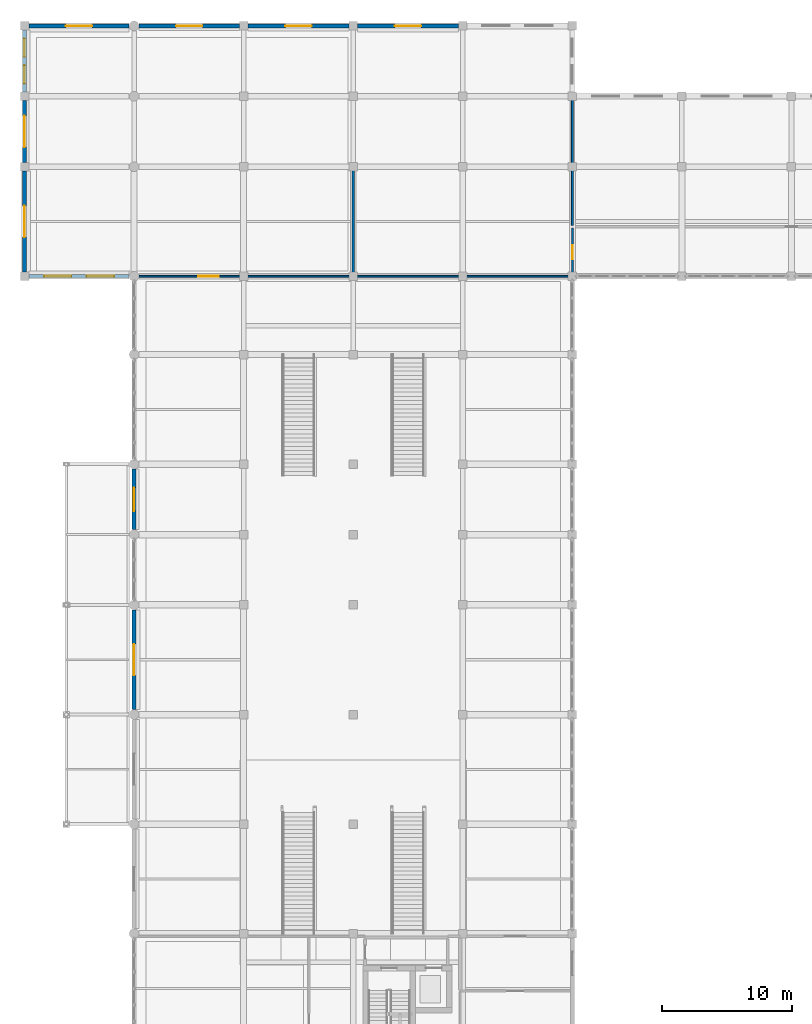
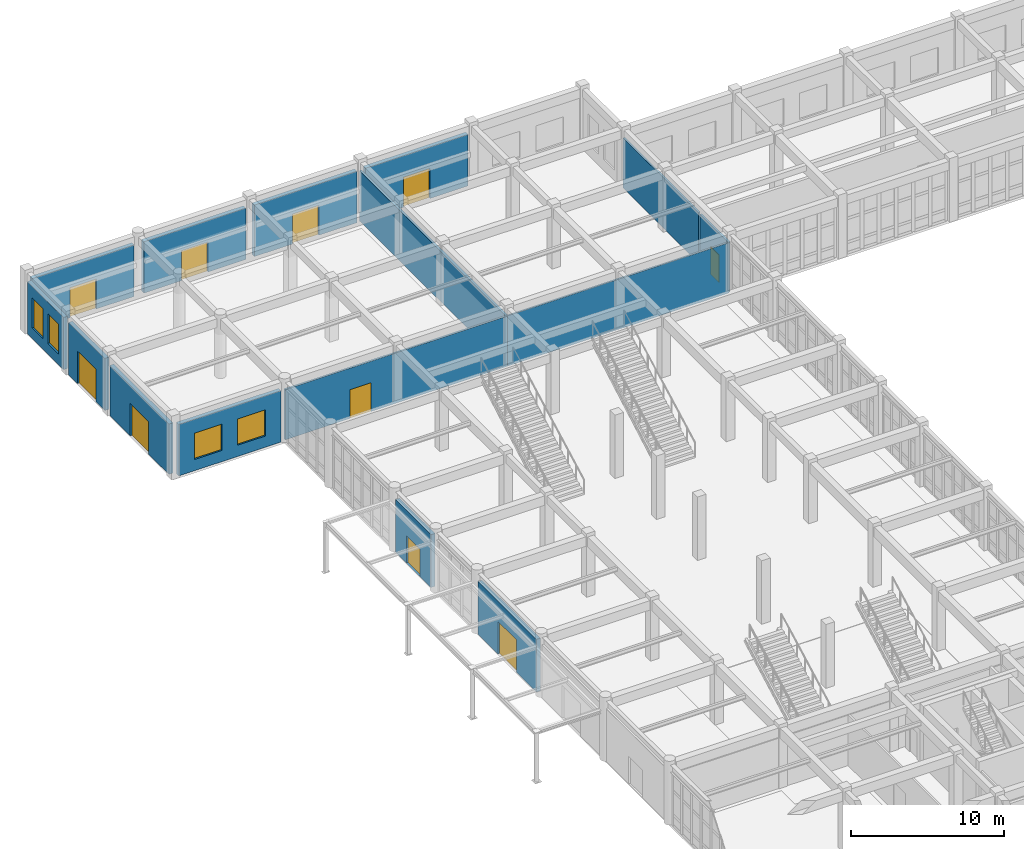
# One storey, part 61 of 80: 15 walls, 10 doors, 4 windows, 14 openings.
"""IFC4 building model written with IfcOpenShell, lengths in metres."""

from ifc_helpers import new_model, si_unit, direction, frame, frame_2d, origin, place, context, subcontext, project, spatial, rectangle, extrude, material, layer, layer_set, type_object, element, fill, save


model = new_model("IFC4")

# Units and contexts
model_context = context("Model", 3, precision=1e-05, world=origin(), true_north=direction((0.0, 1.0)))
body_context = subcontext(model_context, "Body", "Model", "MODEL_VIEW")
ifc_project = project(units=[si_unit("LENGTHUNIT", "METRE"), si_unit("AREAUNIT", "SQUARE_METRE"), si_unit("VOLUMEUNIT", "CUBIC_METRE"), si_unit("PLANEANGLEUNIT", "RADIAN"), si_unit("MASSUNIT", "GRAM", prefix="KILO")], contexts=[model_context])

# Site, building, storey
site_placement = place(None, origin())
site = spatial("IfcSite", under=ifc_project, at=site_placement, CompositionType="ELEMENT")
building_placement = place(site_placement, origin())
building = spatial("IfcBuilding", under=site, at=building_placement, Name="Krzemoval Escarpment Law Courts", CompositionType="ELEMENT")
storey_placement = place(building_placement, origin())
storey = spatial("IfcBuildingStorey", under=building, at=storey_placement, Name="L00", CompositionType="ELEMENT", Elevation=0.0)

# Wall, opening, door
ifc_material_1 = material(Name="Precast concrete C40/50", Category="concrete")
ifc_layer_1 = layer(ifc_material_1, 0.300048828125)
ifc_layer_set_1 = layer_set([ifc_layer_1], Name="Precast concrete C40/50")
wall_type_1 = type_object("IfcWallType", Name="WL-EXT-300", PredefinedType="SOLIDWALL", material=ifc_layer_set_1)
wall_1_placement = place(storey_placement, frame((8.39990234375, 66.375, 0.0), z_axis=(0.0, 0.0, 1.0), x_axis=(0.0, 1.0, 0.0)))
wall_1 = element("IfcWall", 1, at=wall_1_placement, inside=storey, type_object=wall_type_1, Name="Exterior Wall EW-L00-0067", PredefinedType="SOLIDWALL", context=body_context, shape_type="SweptSolid", body=[
    extrude(rectangle(XDim=7.64990234375, YDim=0.300048828125, at=frame_2d((3.824951171875, 0.0))), origin(), (0.0, 0.0, 1.0), 4.219970703125),
])
opening_1_placement = place(wall_1_placement, frame((2.625, 0.0, 0.0)))
opening_1 = element("IfcOpeningElement", 2, at=opening_1_placement, cuts=wall_1, Name="Opening ED-L00-02", PredefinedType="OPENING", context=body_context, shape_type="SweptSolid", body=[
    extrude(rectangle(XDim=2.39990234375, YDim=2.60009765625, at=frame_2d((1.199951171875, 1.300048828125))), frame((0.0, 0.16502, 0.0), z_axis=(0.0, -1.0, 0.0), x_axis=(1.0, 0.0, 0.0)), (0.0, 0.0, 1.0), 0.33005),
])
ifc_material_2 = material(Name="Thermally Broken Aluminium and Laminated Safety Glass", Category="aluminium")
door_type_1 = type_object("IfcDoorType", Name="DR-ENT-2400x2600", OperationType="SINGLE_SWING_LEFT", PredefinedType="DOOR", material=ifc_material_2)
door_1_placement = place(opening_1_placement, origin())
door_1 = element("IfcDoor", 3, at=door_1_placement, inside=storey, type_object=door_type_1, Name="Ground Entrance Door ED-L00-02", OperationType="DOUBLE_DOOR_SINGLE_SWING", OverallHeight=2.60009765625, OverallWidth=2.39990234375, PredefinedType="DOOR", context=body_context, shape_type="SweptSolid", body=[
    extrude(rectangle(XDim=2.39990234375, YDim=2.60009765625, at=frame_2d((1.199951171875, 1.300048828125))), frame((0.0, 0.02490234375, 0.0), z_axis=(0.0, -1.0, 0.0), x_axis=(1.0, 0.0, 0.0)), (0.0, 0.0, 1.0), 0.050048828125),
])
fill(opening_1, door_1)

wall_2_placement = place(storey_placement, frame((8.39990234375, 80.175048828125, 0.0), z_axis=(0.0, 0.0, 1.0), x_axis=(0.0, 1.0, 0.0)))
wall_2 = element("IfcWall", 4, at=wall_2_placement, inside=storey, type_object=wall_type_1, Name="Exterior Wall EW-L00-0068", PredefinedType="SOLIDWALL", context=body_context, shape_type="SweptSolid", body=[
    extrude(rectangle(XDim=4.64990234375, YDim=0.300048828125, at=frame_2d((2.324951171875, 0.0))), origin(), (0.0, 0.0, 1.0), 4.219970703125),
])
opening_2_placement = place(wall_2_placement, frame((1.425048828125, 0.0, 0.0)))
opening_2 = element("IfcOpeningElement", 5, at=opening_2_placement, cuts=wall_2, Name="Opening E08B", PredefinedType="OPENING", context=body_context, shape_type="SweptSolid", body=[
    extrude(rectangle(XDim=1.800048828125, YDim=2.199951171875, at=frame_2d((0.89990234375, 1.10009765625))), frame((0.0, 0.16502, 0.0), z_axis=(0.0, -1.0, 0.0), x_axis=(1.0, 0.0, 0.0)), (0.0, 0.0, 1.0), 0.33005),
])
ifc_material_3 = material(Name="Galvanised Steel S355", Category="steel")
door_type_2 = type_object("IfcDoorType", Name="DR-EXIT-1800x2200", OperationType="SINGLE_SWING_LEFT", PredefinedType="DOOR", material=ifc_material_3)
door_2_placement = place(opening_2_placement, origin())
door_2 = element("IfcDoor", 6, at=door_2_placement, inside=storey, type_object=door_type_2, Name="Final Exit Discharge Door E08B (Stair ST8 West Forecourt)", OperationType="DOUBLE_DOOR_SINGLE_SWING", OverallHeight=2.199951171875, OverallWidth=1.800048828125, PredefinedType="DOOR", context=body_context, shape_type="SweptSolid", body=[
    extrude(rectangle(XDim=1.800048828125, YDim=2.199951171875, at=frame_2d((0.89990234375, 1.10009765625))), frame((0.0, 0.02490234375, 0.0), z_axis=(0.0, -1.0, 0.0), x_axis=(1.0, 0.0, 0.0)), (0.0, 0.0, 1.0), 0.050048828125),
])
fill(opening_2, door_2)

# Wall, openings, windows
wall_3_placement = place(storey_placement, frame((8.02490234375, 99.60009765625, 0.0), z_axis=(0.0, 0.0, 1.0), x_axis=(-1.0, 0.0, 0.0)))
wall_3 = element("IfcWall", 7, at=wall_3_placement, inside=storey, type_object=wall_type_1, Name="Exterior Wall EW-L00-0069", PredefinedType="SOLIDWALL", context=body_context, shape_type="SweptSolid", body=[
    extrude(rectangle(XDim=7.699951171875, YDim=0.300048828125, at=frame_2d((3.85009765625, 0.0))), origin(), (0.0, 0.0, 1.0), 4.1201171875),
])
opening_3_placement = place(wall_3_placement, frame((1.1669921875, 0.0, 0.89990234375)))
opening_3 = element("IfcOpeningElement", 8, at=opening_3_placement, cuts=wall_3, Name="Opening WN-L00-0001", PredefinedType="OPENING", context=body_context, shape_type="SweptSolid", body=[
    extrude(rectangle(XDim=2.10009765625, YDim=2.10009765625, at=frame_2d((1.050048828125, 1.050048828125))), frame((0.0, 0.16502, 0.0), z_axis=(0.0, -1.0, 0.0), x_axis=(1.0, 0.0, 0.0)), (0.0, 0.0, 1.0), 0.33005),
])
opening_4_placement = place(wall_3_placement, frame((4.43310546875, 0.0, 0.89990234375)))
opening_4 = element("IfcOpeningElement", 9, at=opening_4_placement, cuts=wall_3, Name="Opening WN-L00-0002", PredefinedType="OPENING", context=body_context, shape_type="SweptSolid", body=[
    extrude(rectangle(XDim=2.10009765625, YDim=2.10009765625, at=frame_2d((1.050048828125, 1.050048828125))), frame((0.0, 0.16502, 0.0), z_axis=(0.0, -1.0, 0.0), x_axis=(1.0, 0.0, 0.0)), (0.0, 0.0, 1.0), 0.33005),
])
ifc_material_4 = material(Name="Thermally Broken Aluminium Frame with Triple Low-E Acoustic Glass", Category="aluminium")
window_type_1 = type_object("IfcWindowType", Name="WN-2100x2100", PartitioningType="SINGLE_PANEL", PredefinedType="WINDOW", material=ifc_material_4)
window_1_placement = place(opening_3_placement, origin())
window_1 = element("IfcWindow", 10, at=window_1_placement, inside=storey, type_object=window_type_1, Name="Facade Window WN-L00-0001", OverallHeight=2.10009765625, OverallWidth=2.10009765625, PartitioningType="SINGLE_PANEL", PredefinedType="WINDOW", context=body_context, shape_type="SweptSolid", body=[
    extrude(rectangle(XDim=2.10009765625, YDim=2.10009765625, at=frame_2d((1.050048828125, 1.050048828125))), frame((0.0, 0.030029296875, 0.0), z_axis=(0.0, -1.0, 0.0), x_axis=(1.0, 0.0, 0.0)), (0.0, 0.0, 1.0), 0.06005859375),
])
fill(opening_3, window_1)
window_2_placement = place(opening_4_placement, origin())
window_2 = element("IfcWindow", 11, at=window_2_placement, inside=storey, type_object=window_type_1, Name="Facade Window WN-L00-0002", OverallHeight=2.10009765625, OverallWidth=2.10009765625, PartitioningType="SINGLE_PANEL", PredefinedType="WINDOW", context=body_context, shape_type="SweptSolid", body=[
    extrude(rectangle(XDim=2.10009765625, YDim=2.10009765625, at=frame_2d((1.050048828125, 1.050048828125))), frame((0.0, 0.030029296875, 0.0), z_axis=(0.0, -1.0, 0.0), x_axis=(1.0, 0.0, 0.0)), (0.0, 0.0, 1.0), 0.06005859375),
])
fill(opening_4, window_2)

# Wall, opening, door
wall_4_placement = place(storey_placement, frame((0.0, 99.925048828125, 0.0), z_axis=(0.0, 0.0, 1.0), x_axis=(0.0, 1.0, 0.0)))
wall_4 = element("IfcWall", 12, at=wall_4_placement, inside=storey, type_object=wall_type_1, Name="Exterior Wall EW-L00-0070", PredefinedType="SOLIDWALL", context=body_context, shape_type="SweptSolid", body=[
    extrude(rectangle(XDim=7.75, YDim=0.300048828125, at=frame_2d((3.875, 0.0))), origin(), (0.0, 0.0, 1.0), 4.02001953125),
])
opening_5_placement = place(wall_4_placement, frame((2.675048828125, 0.0, 0.0)))
opening_5 = element("IfcOpeningElement", 13, at=opening_5_placement, cuts=wall_4, Name="Opening ED-L00-03", PredefinedType="OPENING", context=body_context, shape_type="SweptSolid", body=[
    extrude(rectangle(XDim=2.39990234375, YDim=2.60009765625, at=frame_2d((1.199951171875, 1.300048828125))), frame((0.0, 0.16502, 0.0), z_axis=(0.0, -1.0, 0.0), x_axis=(1.0, 0.0, 0.0)), (0.0, 0.0, 1.0), 0.33005),
])
door_3_placement = place(opening_5_placement, origin())
door_3 = element("IfcDoor", 14, at=door_3_placement, inside=storey, type_object=door_type_1, Name="Ground Entrance Door ED-L00-03", OperationType="DOUBLE_DOOR_SINGLE_SWING", OverallHeight=2.60009765625, OverallWidth=2.39990234375, PredefinedType="DOOR", context=body_context, shape_type="SweptSolid", body=[
    extrude(rectangle(XDim=2.39990234375, YDim=2.60009765625, at=frame_2d((1.199951171875, 1.300048828125))), frame((0.0, 0.02490234375, 0.0), z_axis=(0.0, -1.0, 0.0), x_axis=(1.0, 0.0, 0.0)), (0.0, 0.0, 1.0), 0.050048828125),
])
fill(opening_5, door_3)

wall_5_placement = place(storey_placement, frame((0.0, 108.324951171875, 0.0), z_axis=(0.0, 0.0, 1.0), x_axis=(0.0, 1.0, 0.0)))
wall_5 = element("IfcWall", 15, at=wall_5_placement, inside=storey, type_object=wall_type_1, Name="Exterior Wall EW-L00-0071", PredefinedType="SOLIDWALL", context=body_context, shape_type="SweptSolid", body=[
    extrude(rectangle(XDim=4.75, YDim=0.300048828125, at=frame_2d((2.375, 0.0))), origin(), (0.0, 0.0, 1.0), 4.169921875),
])
opening_6_placement = place(wall_5_placement, frame((1.175048828125, 0.0, 0.0)))
opening_6 = element("IfcOpeningElement", 16, at=opening_6_placement, cuts=wall_5, Name="Opening ED-L00-04", PredefinedType="OPENING", context=body_context, shape_type="SweptSolid", body=[
    extrude(rectangle(XDim=2.39990234375, YDim=2.60009765625, at=frame_2d((1.199951171875, 1.300048828125))), frame((0.0, 0.16502, 0.0), z_axis=(0.0, -1.0, 0.0), x_axis=(1.0, 0.0, 0.0)), (0.0, 0.0, 1.0), 0.33005),
])
door_4_placement = place(opening_6_placement, origin())
door_4 = element("IfcDoor", 17, at=door_4_placement, inside=storey, type_object=door_type_1, Name="Ground Entrance Door ED-L00-04", OperationType="DOUBLE_DOOR_SINGLE_SWING", OverallHeight=2.60009765625, OverallWidth=2.39990234375, PredefinedType="DOOR", context=body_context, shape_type="SweptSolid", body=[
    extrude(rectangle(XDim=2.39990234375, YDim=2.60009765625, at=frame_2d((1.199951171875, 1.300048828125))), frame((0.0, 0.02490234375, 0.0), z_axis=(0.0, -1.0, 0.0), x_axis=(1.0, 0.0, 0.0)), (0.0, 0.0, 1.0), 0.050048828125),
])
fill(opening_6, door_4)

# Wall, openings, windows
wall_6_placement = place(storey_placement, frame((0.0, 113.72509765625, 0.0), z_axis=(0.0, 0.0, 1.0), x_axis=(0.0, 1.0, 0.0)))
wall_6 = element("IfcWall", 18, at=wall_6_placement, inside=storey, type_object=wall_type_1, Name="Exterior Wall EW-L00-0072", PredefinedType="SOLIDWALL", context=body_context, shape_type="SweptSolid", body=[
    extrude(rectangle(XDim=4.75, YDim=0.300048828125, at=frame_2d((2.375, 0.0))), origin(), (0.0, 0.0, 1.0), 4.169921875),
])
opening_7_placement = place(wall_6_placement, frame((0.64990234375, 0.0, 0.85009765625)))
opening_7 = element("IfcOpeningElement", 19, at=opening_7_placement, cuts=wall_6, Name="Opening WN-L00-0003", PredefinedType="OPENING", context=body_context, shape_type="SweptSolid", body=[
    extrude(rectangle(XDim=1.39990234375, YDim=2.39990234375, at=frame_2d((0.699951171875, 1.199951171875))), frame((0.0, 0.16502, 0.0), z_axis=(0.0, -1.0, 0.0), x_axis=(1.0, 0.0, 0.0)), (0.0, 0.0, 1.0), 0.33005),
])
opening_8_placement = place(wall_6_placement, frame((2.699951171875, 0.0, 0.85009765625)))
opening_8 = element("IfcOpeningElement", 20, at=opening_8_placement, cuts=wall_6, Name="Opening WN-L00-0004", PredefinedType="OPENING", context=body_context, shape_type="SweptSolid", body=[
    extrude(rectangle(XDim=1.39990234375, YDim=2.39990234375, at=frame_2d((0.699951171875, 1.199951171875))), frame((0.0, 0.16502, 0.0), z_axis=(0.0, -1.0, 0.0), x_axis=(1.0, 0.0, 0.0)), (0.0, 0.0, 1.0), 0.33005),
])
ifc_material_5 = material(Name="Thermally Broken Aluminium Frame with Triple Low-E Acoustic Glass", Category="aluminium")
window_type_2 = type_object("IfcWindowType", Name="WN-1400x2400", PartitioningType="SINGLE_PANEL", PredefinedType="WINDOW", material=ifc_material_5)
window_3_placement = place(opening_7_placement, origin())
window_3 = element("IfcWindow", 21, at=window_3_placement, inside=storey, type_object=window_type_2, Name="Facade Window WN-L00-0003", OverallHeight=2.39990234375, OverallWidth=1.39990234375, PartitioningType="SINGLE_PANEL", PredefinedType="WINDOW", context=body_context, shape_type="SweptSolid", body=[
    extrude(rectangle(XDim=1.39990234375, YDim=2.39990234375, at=frame_2d((0.699951171875, 1.199951171875))), frame((0.0, 0.030029296875, 0.0), z_axis=(0.0, -1.0, 0.0), x_axis=(1.0, 0.0, 0.0)), (0.0, 0.0, 1.0), 0.06005859375),
])
fill(opening_7, window_3)
window_4_placement = place(opening_8_placement, origin())
window_4 = element("IfcWindow", 22, at=window_4_placement, inside=storey, type_object=window_type_2, Name="Facade Window WN-L00-0004", OverallHeight=2.39990234375, OverallWidth=1.39990234375, PartitioningType="SINGLE_PANEL", PredefinedType="WINDOW", context=body_context, shape_type="SweptSolid", body=[
    extrude(rectangle(XDim=1.39990234375, YDim=2.39990234375, at=frame_2d((0.699951171875, 1.199951171875))), frame((0.0, 0.030029296875, 0.0), z_axis=(0.0, -1.0, 0.0), x_axis=(1.0, 0.0, 0.0)), (0.0, 0.0, 1.0), 0.06005859375),
])
fill(opening_8, window_4)

# Wall, opening, door
wall_7_placement = place(storey_placement, frame((0.324951171875, 118.800048828125, 0.0), z_axis=(0.0, 0.0, 1.0), x_axis=(1.0, 0.0, 0.0)))
wall_7 = element("IfcWall", 23, at=wall_7_placement, inside=storey, type_object=wall_type_1, Name="Exterior Wall EW-L00-0073", PredefinedType="SOLIDWALL", context=body_context, shape_type="SweptSolid", body=[
    extrude(rectangle(XDim=7.699951171875, YDim=0.300048828125, at=frame_2d((3.85009765625, 0.0))), origin(), (0.0, 0.0, 1.0), 4.1201171875),
])
opening_9_placement = place(wall_7_placement, frame((2.85009765625, 0.0, 0.0)))
opening_9 = element("IfcOpeningElement", 24, at=opening_9_placement, cuts=wall_7, Name="Opening ED-L00-05", PredefinedType="OPENING", context=body_context, shape_type="SweptSolid", body=[
    extrude(rectangle(XDim=2.0, YDim=2.39990234375, at=frame_2d((1.0, 1.199951171875))), frame((0.0, 0.16502, 0.0), z_axis=(0.0, -1.0, 0.0), x_axis=(1.0, 0.0, 0.0)), (0.0, 0.0, 1.0), 0.33005),
])
ifc_material_6 = material(Name="Thermally Broken Aluminium and Laminated Safety Glass", Category="aluminium")
door_type_3 = type_object("IfcDoorType", Name="DR-ENT-2000x2400", OperationType="SINGLE_SWING_LEFT", PredefinedType="DOOR", material=ifc_material_6)
door_5_placement = place(opening_9_placement, origin())
door_5 = element("IfcDoor", 25, at=door_5_placement, inside=storey, type_object=door_type_3, Name="Ground Entrance Door ED-L00-05", OperationType="DOUBLE_DOOR_SINGLE_SWING", OverallHeight=2.39990234375, OverallWidth=2.0, PredefinedType="DOOR", context=body_context, shape_type="SweptSolid", body=[
    extrude(rectangle(XDim=2.0, YDim=2.39990234375, at=frame_2d((1.0, 1.199951171875))), frame((0.0, 0.02490234375, 0.0), z_axis=(0.0, -1.0, 0.0), x_axis=(1.0, 0.0, 0.0)), (0.0, 0.0, 1.0), 0.050048828125),
])
fill(opening_9, door_5)

wall_8_placement = place(storey_placement, frame((8.77490234375, 118.800048828125, 0.0), z_axis=(0.0, 0.0, 1.0), x_axis=(1.0, 0.0, 0.0)))
wall_8 = element("IfcWall", 26, at=wall_8_placement, inside=storey, type_object=wall_type_1, Name="Exterior Wall EW-L00-0074", PredefinedType="SOLIDWALL", context=body_context, shape_type="SweptSolid", body=[
    extrude(rectangle(XDim=7.7001953125, YDim=0.300048828125, at=frame_2d((3.85009765625, 0.0))), origin(), (0.0, 0.0, 1.0), 4.1201171875),
])
opening_10_placement = place(wall_8_placement, frame((2.85009765625, 0.0, 0.0)))
opening_10 = element("IfcOpeningElement", 27, at=opening_10_placement, cuts=wall_8, Name="Opening ED-L00-06", PredefinedType="OPENING", context=body_context, shape_type="SweptSolid", body=[
    extrude(rectangle(XDim=2.0, YDim=2.39990234375, at=frame_2d((1.0, 1.199951171875))), frame((0.0, 0.16502, 0.0), z_axis=(0.0, -1.0, 0.0), x_axis=(1.0, 0.0, 0.0)), (0.0, 0.0, 1.0), 0.33005),
])
door_6_placement = place(opening_10_placement, origin())
door_6 = element("IfcDoor", 28, at=door_6_placement, inside=storey, type_object=door_type_3, Name="Ground Entrance Door ED-L00-06", OperationType="DOUBLE_DOOR_SINGLE_SWING", OverallHeight=2.39990234375, OverallWidth=2.0, PredefinedType="DOOR", context=body_context, shape_type="SweptSolid", body=[
    extrude(rectangle(XDim=2.0, YDim=2.39990234375, at=frame_2d((1.0, 1.199951171875))), frame((0.0, 0.02490234375, 0.0), z_axis=(0.0, -1.0, 0.0), x_axis=(1.0, 0.0, 0.0)), (0.0, 0.0, 1.0), 0.050048828125),
])
fill(opening_10, door_6)

wall_9_placement = place(storey_placement, frame((17.125, 118.800048828125, 0.0), z_axis=(0.0, 0.0, 1.0), x_axis=(1.0, 0.0, 0.0)))
wall_9 = element("IfcWall", 29, at=wall_9_placement, inside=storey, type_object=wall_type_1, Name="Exterior Wall EW-L00-0075", PredefinedType="SOLIDWALL", context=body_context, shape_type="SweptSolid", body=[
    extrude(rectangle(XDim=7.75, YDim=0.300048828125, at=frame_2d((3.875, 0.0))), origin(), (0.0, 0.0, 1.0), 4.1201171875),
])
opening_11_placement = place(wall_9_placement, frame((2.875, 0.0, 0.0)))
opening_11 = element("IfcOpeningElement", 30, at=opening_11_placement, cuts=wall_9, Name="Opening ED-L00-07", PredefinedType="OPENING", context=body_context, shape_type="SweptSolid", body=[
    extrude(rectangle(XDim=2.0, YDim=2.39990234375, at=frame_2d((1.0, 1.199951171875))), frame((0.0, 0.16502, 0.0), z_axis=(0.0, -1.0, 0.0), x_axis=(1.0, 0.0, 0.0)), (0.0, 0.0, 1.0), 0.33005),
])
door_7_placement = place(opening_11_placement, origin())
door_7 = element("IfcDoor", 31, at=door_7_placement, inside=storey, type_object=door_type_3, Name="Ground Entrance Door ED-L00-07", OperationType="DOUBLE_DOOR_SINGLE_SWING", OverallHeight=2.39990234375, OverallWidth=2.0, PredefinedType="DOOR", context=body_context, shape_type="SweptSolid", body=[
    extrude(rectangle(XDim=2.0, YDim=2.39990234375, at=frame_2d((1.0, 1.199951171875))), frame((0.0, 0.02490234375, 0.0), z_axis=(0.0, -1.0, 0.0), x_axis=(1.0, 0.0, 0.0)), (0.0, 0.0, 1.0), 0.050048828125),
])
fill(opening_11, door_7)

wall_10_placement = place(storey_placement, frame((25.52490234375, 118.800048828125, 0.0), z_axis=(0.0, 0.0, 1.0), x_axis=(1.0, 0.0, 0.0)))
wall_10 = element("IfcWall", 32, at=wall_10_placement, inside=storey, type_object=wall_type_1, Name="Exterior Wall EW-L00-0076", PredefinedType="SOLIDWALL", context=body_context, shape_type="SweptSolid", body=[
    extrude(rectangle(XDim=7.75, YDim=0.300048828125, at=frame_2d((3.875, 0.0))), origin(), (0.0, 0.0, 1.0), 4.1201171875),
])
opening_12_placement = place(wall_10_placement, frame((2.875, 0.0, 0.0)))
opening_12 = element("IfcOpeningElement", 33, at=opening_12_placement, cuts=wall_10, Name="Opening ED-L00-08", PredefinedType="OPENING", context=body_context, shape_type="SweptSolid", body=[
    extrude(rectangle(XDim=2.0, YDim=2.39990234375, at=frame_2d((1.0, 1.199951171875))), frame((0.0, 0.16502, 0.0), z_axis=(0.0, -1.0, 0.0), x_axis=(1.0, 0.0, 0.0)), (0.0, 0.0, 1.0), 0.33005),
])
door_8_placement = place(opening_12_placement, origin())
door_8 = element("IfcDoor", 34, at=door_8_placement, inside=storey, type_object=door_type_3, Name="Ground Entrance Door ED-L00-08", OperationType="DOUBLE_DOOR_SINGLE_SWING", OverallHeight=2.39990234375, OverallWidth=2.0, PredefinedType="DOOR", context=body_context, shape_type="SweptSolid", body=[
    extrude(rectangle(XDim=2.0, YDim=2.39990234375, at=frame_2d((1.0, 1.199951171875))), frame((0.0, 0.02490234375, 0.0), z_axis=(0.0, -1.0, 0.0), x_axis=(1.0, 0.0, 0.0)), (0.0, 0.0, 1.0), 0.050048828125),
])
fill(opening_12, door_8)

# Wall
ifc_material_7 = material(Name="Standard Metal-Stud Gypsum Partition", Category="gypsum")
ifc_layer_2 = layer(ifc_material_7, 0.125)
ifc_layer_set_2 = layer_set([ifc_layer_2], Name="Standard Metal-Stud Gypsum Partition")
wall_type_2 = type_object("IfcWallType", Name="WL-PRT-125", PredefinedType="PARTITIONING", material=ifc_layer_set_2)
wall_11_placement = place(storey_placement, frame((25.199951171875, 99.60009765625, 0.0), z_axis=(0.0, 0.0, 1.0), x_axis=(1.0, 0.0, 0.0)))
element("IfcWall", 35, at=wall_11_placement, inside=storey, type_object=wall_type_2, Name="Interior Partition PW-L00-0141", PredefinedType="PARTITIONING", context=body_context, shape_type="SweptSolid", body=[
    extrude(rectangle(XDim=16.760986328125, YDim=0.125, at=frame_2d((8.38037109375, 0.0))), origin(), (0.0, 0.0, 1.0), 4.02001953125),
])

# Wall, opening, door
ifc_material_8 = material(Name="Sanitary Moisture-Resistant Partition", Category="gypsum")
ifc_layer_3 = layer(ifc_material_8, 0.139892578125)
ifc_layer_set_3 = layer_set([ifc_layer_3], Name="Sanitary Moisture-Resistant Partition")
wall_type_3 = type_object("IfcWallType", Name="WL-PRT-140", PredefinedType="PARTITIONING", material=ifc_layer_set_3)
wall_12_placement = place(storey_placement, frame((8.409912109375, 99.60009765625, 0.0), z_axis=(0.0, 0.0, 1.0), x_axis=(1.0, 0.0, 0.0)))
wall_12 = element("IfcWall", 36, at=wall_12_placement, inside=storey, type_object=wall_type_3, Name="Interior Partition PW-L00-0140", PredefinedType="PARTITIONING", context=body_context, shape_type="SweptSolid", body=[
    extrude(rectangle(XDim=16.7900390625, YDim=0.139892578125, at=frame_2d((8.39501953125, 0.0))), origin(), (0.0, 0.0, 1.0), 4.02001953125),
])
opening_13_placement = place(wall_12_placement, frame((4.89501953125, 0.0, 0.0)))
opening_13 = element("IfcOpeningElement", 37, at=opening_13_placement, cuts=wall_12, Name="Opening D-L00-0065", PredefinedType="OPENING", context=body_context, shape_type="SweptSolid", body=[
    extrude(rectangle(XDim=1.60009765625, YDim=2.300048828125, at=frame_2d((0.800048828125, 1.14990234375))), frame((0.0, 0.08495, 0.0), z_axis=(0.0, -1.0, 0.0), x_axis=(1.0, 0.0, 0.0)), (0.0, 0.0, 1.0), 0.16989),
])
ifc_material_9 = material(Name="Engineered Solid-Core Oak Acoustic Timber", Category="wood")
door_type_4 = type_object("IfcDoorType", Name="DR-CRT-1600x2300", OperationType="SINGLE_SWING_LEFT", PredefinedType="DOOR", material=ifc_material_9)
door_9_placement = place(opening_13_placement, origin())
door_9 = element("IfcDoor", 38, at=door_9_placement, inside=storey, type_object=door_type_4, Name="Room Door D-L00-0065", OperationType="SINGLE_SWING_LEFT", OverallHeight=2.300048828125, OverallWidth=1.60009765625, PredefinedType="DOOR", context=body_context, shape_type="SweptSolid", body=[
    extrude(rectangle(XDim=1.60009765625, YDim=2.300048828125, at=frame_2d((0.800048828125, 1.14990234375))), frame((0.0, 0.02490234375, 0.0), z_axis=(0.0, -1.0, 0.0), x_axis=(1.0, 0.0, 0.0)), (0.0, 0.0, 1.0), 0.050048828125),
])
fill(opening_13, door_9)

# Wall
wall_13_placement = place(storey_placement, frame((42.0, 103.511962890625, 0.0), z_axis=(0.0, 0.0, 1.0), x_axis=(0.0, 1.0, 0.0)))
element("IfcWall", 39, at=wall_13_placement, inside=storey, type_object=wall_type_3, Name="Interior Partition PW-L00-0171", PredefinedType="PARTITIONING", context=body_context, shape_type="SweptSolid", body=[
    extrude(rectangle(XDim=9.839111328125, YDim=0.139892578125, at=frame_2d((4.91943359375, 0.0))), origin(), (0.0, 0.0, 1.0), 4.02001953125),
])

# Wall, opening, door
ifc_material_10 = material(Name="Office Acoustic Partition Wall", Category="gypsum")
ifc_layer_4 = layer(ifc_material_10, 0.14990234375)
ifc_layer_set_4 = layer_set([ifc_layer_4], Name="Office Acoustic Partition Wall")
wall_type_4 = type_object("IfcWallType", Name="WL-PRT-150", PredefinedType="PARTITIONING", material=ifc_layer_set_4)
wall_14_placement = place(storey_placement, frame((42.0, 99.60009765625, 0.0), z_axis=(0.0, 0.0, 1.0), x_axis=(0.0, 1.0, 0.0)))
wall_14 = element("IfcWall", 40, at=wall_14_placement, inside=storey, type_object=wall_type_4, Name="Interior Partition PW-L00-0170", PredefinedType="PARTITIONING", context=body_context, shape_type="SweptSolid", body=[
    extrude(rectangle(XDim=3.68798828125, YDim=0.14990234375, at=frame_2d((1.843994140625, 0.0))), origin(), (0.0, 0.0, 1.0), 4.02001953125),
])
opening_14_placement = place(wall_14_placement, frame((1.2939453125, 0.0, 0.0)))
opening_14 = element("IfcOpeningElement", 41, at=opening_14_placement, cuts=wall_14, Name="Opening D-L00-0066", PredefinedType="OPENING", context=body_context, shape_type="SweptSolid", body=[
    extrude(rectangle(XDim=1.10009765625, YDim=2.199951171875, at=frame_2d((0.550048828125, 1.10009765625))), frame((0.0, 0.08995, 0.0), z_axis=(0.0, -1.0, 0.0), x_axis=(1.0, 0.0, 0.0)), (0.0, 0.0, 1.0), 0.1799),
])
ifc_material_11 = material(Name="Engineered Solid-Core Oak Acoustic Timber", Category="wood")
door_type_5 = type_object("IfcDoorType", Name="DR-INT-1100x2200", OperationType="SINGLE_SWING_LEFT", PredefinedType="DOOR", material=ifc_material_11)
door_10_placement = place(opening_14_placement, origin())
door_10 = element("IfcDoor", 42, at=door_10_placement, inside=storey, type_object=door_type_5, Name="Room Door D-L00-0066", OperationType="SINGLE_SWING_LEFT", OverallHeight=2.199951171875, OverallWidth=1.10009765625, PredefinedType="DOOR", context=body_context, shape_type="SweptSolid", body=[
    extrude(rectangle(XDim=1.10009765625, YDim=2.199951171875, at=frame_2d((0.550048828125, 1.10009765625))), frame((0.0, 0.02490234375, 0.0), z_axis=(0.0, -1.0, 0.0), x_axis=(1.0, 0.0, 0.0)), (0.0, 0.0, 1.0), 0.050048828125),
])
fill(opening_14, door_10)

# Wall
ifc_material_12 = material(Name="Judicial Chambers Acoustic Partition", Category="gypsum")
ifc_layer_5 = layer(ifc_material_12, 0.179931640625)
ifc_layer_set_5 = layer_set([ifc_layer_5], Name="Judicial Chambers Acoustic Partition")
wall_type_5 = type_object("IfcWallType", Name="WL-PRT-180", PredefinedType="PARTITIONING", material=ifc_layer_set_5)
wall_15_placement = place(storey_placement, frame((25.199951171875, 99.672119140625, 0.0), z_axis=(0.0, 0.0, 1.0), x_axis=(0.0, 1.0, 0.0)))
element("IfcWall", 43, at=wall_15_placement, inside=storey, type_object=wall_type_5, Name="Interior Partition PW-L00-0158", PredefinedType="PARTITIONING", context=body_context, shape_type="SweptSolid", body=[
    extrude(rectangle(XDim=19.078857421875, YDim=0.179931640625, at=frame_2d((9.53955078125, 0.0))), origin(), (0.0, 0.0, 1.0), 4.02001953125),
])

save(model, "model.ifc")
